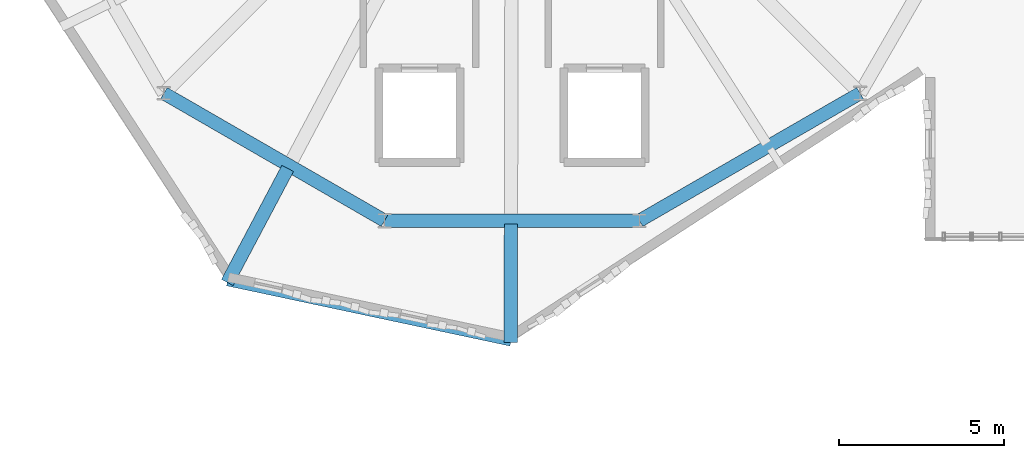
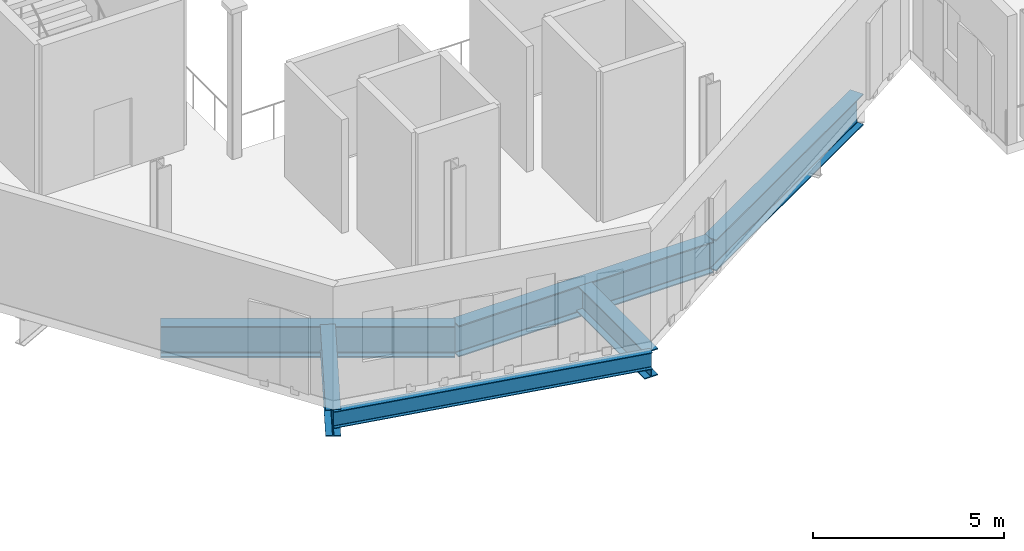
# One storey, part 27 of 118: 6 beams.
"""IFC4 building model written with IfcOpenShell, lengths in metres."""

from ifc_helpers import new_model, si_unit, direction, frame, origin, origin_2d, place, context, subcontext, project, spatial, i_section, extrude, material, material_profile, profile_set, type_object, element, save


model = new_model("IFC4")

# Units and contexts
model_context = context("Model", 3, precision=1e-05, world=origin(), true_north=direction((0.0, 1.0)))
body_context = subcontext(model_context, "Body", "Model", "MODEL_VIEW")
ifc_project = project(units=[si_unit("LENGTHUNIT", "METRE"), si_unit("AREAUNIT", "SQUARE_METRE"), si_unit("VOLUMEUNIT", "CUBIC_METRE"), si_unit("PLANEANGLEUNIT", "RADIAN"), si_unit("MASSUNIT", "GRAM", prefix="KILO"), si_unit("THERMODYNAMICTEMPERATUREUNIT", "KELVIN"), si_unit("POWERUNIT", "WATT")], contexts=[model_context])

# Site, building, storey
site_placement = place(None, origin())
site = spatial("IfcSite", under=ifc_project, at=site_placement, CompositionType="ELEMENT")
building_placement = place(site_placement, origin())
building = spatial("IfcBuilding", under=site, at=building_placement, Name="Zelmaris Science Centre", CompositionType="ELEMENT")
storey_placement = place(building_placement, frame((0.0, 0.0, 15.60009765625)))
storey = spatial("IfcBuildingStorey", under=building, at=storey_placement, Name="L03", CompositionType="ELEMENT", Elevation=15.60009765625)

# Beams
ifc_material = material(Name="Steel ASTM A992 Grade 50", Category="steel")
ifc_material_profile_1 = material_profile(ifc_material, i_section(OverallWidth=0.40087890625, OverallDepth=0.85595703125, WebThickness=0.018310546875, FlangeThickness=0.029296875, FilletRadius=0.02001953125, at=origin_2d()), Name="W33X201")
ifc_profile_set_1 = profile_set([ifc_material_profile_1], Name="Steel ASTM A992 Grade 50")
beam_type_1 = type_object("IfcBeamType", Name="Beam G-05 W33X201", PredefinedType="BEAM", material=ifc_profile_set_1)
beam_1_placement = place(storey_placement, frame((74.21240234375, 23.1904296875, -0.7080078125), z_axis=(-0.46816626903, -0.883640393227, 0.0), x_axis=(0.883640393227, -0.46816626903, 0.0)))
element("IfcBeam", 1, at=beam_1_placement, inside=storey, type_object=beam_type_1, Name="L03 Radial overhang girder 12", PredefinedType="BEAM", context=body_context, shape_type="SweptSolid", body=[
    extrude(i_section(OverallWidth=0.40087890625, OverallDepth=0.85595703125, WebThickness=0.018310546875, FlangeThickness=0.029296875, FilletRadius=0.02001953125, at=origin_2d()), origin(), (0.0, 0.0, 1.0), 3.906005859375),
])
ifc_material_profile_2 = material_profile(ifc_material, i_section(OverallWidth=0.40087890625, OverallDepth=1.0009765625, WebThickness=0.01904296875, FlangeThickness=0.0361328125, FilletRadius=0.02490234375, at=origin_2d()), Name="W40X249")
ifc_profile_set_2 = profile_set([ifc_material_profile_2], Name="Steel ASTM A992 Grade 50")
beam_type_2 = type_object("IfcBeamType", Name="Beam G-22 W40X249", PredefinedType="BEAM", material=ifc_profile_set_2)
for number, where, z_axis, x_axis, name in (
    (2, (70.464111328125, 25.464111328125, -0.780517578125), (0.866021648359, -0.500006504531, 0.0), (0.500006504531, 0.866021648359, 0.0), "L03 Exhibition inner ring girder 8"),
    (3, (77.1435546875, 21.607666015625, -0.780517578125), (1.0, 0.0, 0.0), (0.0, 1.0, 0.0), "L03 Exhibition inner ring girder 9"),
    (4, (84.8564453125, 21.607666015625, -0.780517578125), (0.866021648359, 0.500006504531, 0.0), (-0.500006504531, 0.866021648359, 0.0), "L03 Exhibition inner ring girder 10"),
):
    element("IfcBeam", number, at=place(storey_placement, frame(where, z_axis=z_axis, x_axis=x_axis)), inside=storey, type_object=beam_type_2, Name=name, PredefinedType="BEAM", context=body_context, shape_type="SweptSolid", body=[
        extrude(i_section(OverallWidth=0.40087890625, OverallDepth=1.0009765625, WebThickness=0.01904296875, FlangeThickness=0.0361328125, FilletRadius=0.02490234375, at=origin_2d()), origin(), (0.0, 0.0, 1.0), 7.712890625),
    ])
ifc_material_profile_3 = material_profile(ifc_material, i_section(OverallWidth=0.404052734375, OverallDepth=0.861083984375, WebThickness=0.019775390625, FlangeThickness=0.032470703125, FilletRadius=0.02001953125, at=origin_2d()), Name="W33X221")
ifc_profile_set_3 = profile_set([ifc_material_profile_3], Name="Steel ASTM A992 Grade 50")
beam_type_3 = type_object("IfcBeamType", Name="Beam G-28 W33X221", PredefinedType="BEAM", material=ifc_profile_set_3)
beam_2_placement = place(storey_placement, frame((80.96826171875, 21.5126953125, -0.710693359375), z_axis=(-0.002240016102, -0.999997491161, 0.0), x_axis=(0.999997491161, -0.002240016102, 0.0)))
element("IfcBeam", 5, at=beam_2_placement, inside=storey, type_object=beam_type_3, Name="L03 Radial overhang girder 1", PredefinedType="BEAM", context=body_context, shape_type="SweptSolid", body=[
    extrude(i_section(OverallWidth=0.404052734375, OverallDepth=0.861083984375, WebThickness=0.019775390625, FlangeThickness=0.032470703125, FilletRadius=0.02001953125, at=origin_2d()), origin(), (0.0, 0.0, 1.0), 3.5966796875),
])
ifc_material_profile_4 = material_profile(ifc_material, i_section(OverallWidth=0.2109375, OverallDepth=0.5380859375, WebThickness=0.01171875, FlangeThickness=0.018798828125, FilletRadius=0.013916015625, at=origin_2d()), Name="W21X73")
ifc_profile_set_4 = profile_set([ifc_material_profile_4], Name="Steel ASTM A992 Grade 50")
beam_type_4 = type_object("IfcBeamType", Name="Beam SP-02 W21X73", PredefinedType="SPANDREL", material=ifc_profile_set_4)
beam_3_placement = place(storey_placement, frame((72.3837890625, 19.739013671875, -0.549072265625), z_axis=(0.978147031376, -0.207914369418, 0.0), x_axis=(0.207914369418, 0.978147031376, 0.0)))
element("IfcBeam", 6, at=beam_3_placement, inside=storey, type_object=beam_type_4, Name="L03 Rotated facade spandrel beam 4", PredefinedType="SPANDREL", context=body_context, shape_type="SweptSolid", body=[
    extrude(i_section(OverallWidth=0.2109375, OverallDepth=0.5380859375, WebThickness=0.01171875, FlangeThickness=0.018798828125, FilletRadius=0.013916015625, at=origin_2d()), origin(), (0.0, 0.0, 1.0), 8.76806640625),
])

save(model, "model.ifc")
